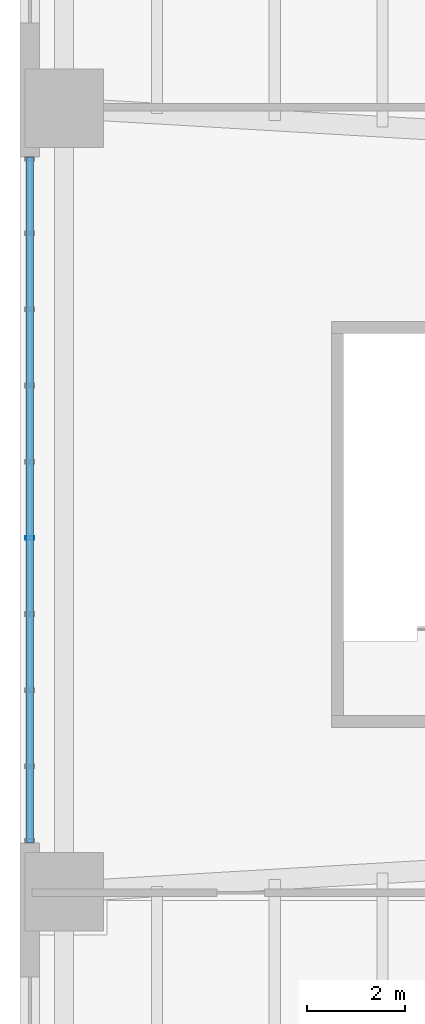
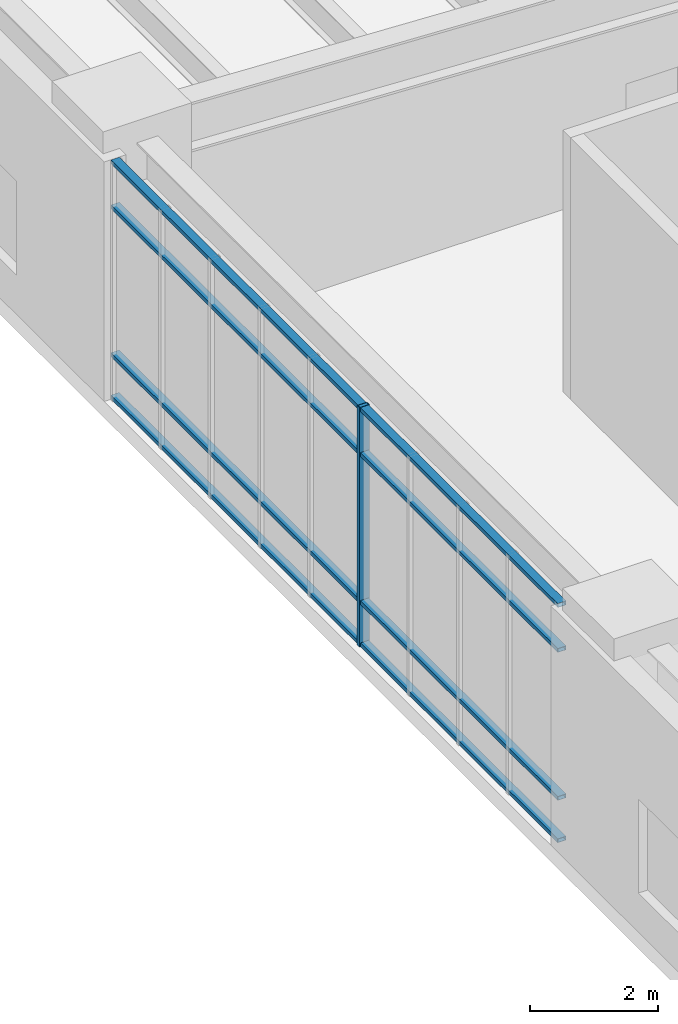
# One storey, part 4 of 18: 5 members, 1 element without a shape of its own.
"""IFC4 building model written with IfcOpenShell, lengths in metres."""

from ifc_helpers import new_model, si_unit, direction, frame, origin, origin_2d, place, context, subcontext, project, spatial, hollow_rectangle, extrude, material, layer, layer_set, material_profile, profile_set, type_object, element, aggregate, save


model = new_model("IFC4")

# Units and contexts
model_context = context("Model", 3, precision=1e-05, world=origin(), true_north=direction((0.0, 1.0)))
body_context = subcontext(model_context, "Body", "Model", "MODEL_VIEW")
ifc_project = project(units=[si_unit("LENGTHUNIT", "METRE"), si_unit("AREAUNIT", "SQUARE_METRE"), si_unit("VOLUMEUNIT", "CUBIC_METRE"), si_unit("PLANEANGLEUNIT", "RADIAN"), si_unit("MASSUNIT", "GRAM", prefix="KILO"), si_unit("THERMODYNAMICTEMPERATUREUNIT", "KELVIN"), si_unit("POWERUNIT", "WATT")], contexts=[model_context])

# Site, building, storey
site_placement = place(None, origin())
site = spatial("IfcSite", under=ifc_project, at=site_placement, CompositionType="ELEMENT")
building_placement = place(site_placement, origin())
building = spatial("IfcBuilding", under=site, at=building_placement, Name="Skarre Station Tower", CompositionType="ELEMENT")
storey_placement = place(building_placement, frame((0.0, 0.0, 16.0)))
storey = spatial("IfcBuildingStorey", under=building, at=storey_placement, Name="L04", CompositionType="ELEMENT", Elevation=16.0)

# Curtain wall, members
ifc_material_1 = material(Name="Thermally Broken Bronze-Anodized Aluminium & Triple Low-E Glass", Category="aluminium")
ifc_layer = layer(ifc_material_1, 0.199951171875, Name="Thermally Broken Bronze-Anodized Aluminium & Triple Low-E Glass")
ifc_layer_set = layer_set([ifc_layer], Name="Thermally Broken Bronze-Anodized Aluminium & Triple Low-E Glass")
curtain_wall_type = type_object("IfcCurtainWallType", Name="Podium Transit Arcade Stick Curtain Wall", PredefinedType="NOTDEFINED", material=ifc_layer_set)
curtain_wall_placement = place(storey_placement, origin())
curtain_wall = element("IfcCurtainWall", 1, at=curtain_wall_placement, inside=storey, type_object=curtain_wall_type, Name="L04 West Atrium Clerestory Curtain Wall", PredefinedType="NOTDEFINED")
ifc_material_2 = material(Name="Anodized Aluminium 6063-T6", Category="aluminium")
ifc_material_profile_1 = material_profile(ifc_material_2, hollow_rectangle(XDim=0.074951171875, YDim=0.14990234375, WallThickness=0.00390625, at=origin_2d()), Name="Anodized Aluminium 6063-T6")
ifc_profile_set_1 = profile_set([ifc_material_profile_1], Name="Anodized Aluminium 6063-T6")
member_type_1 = type_object("IfcMemberType", Name="Curtain-Wall Secondary Transom 150x75", PredefinedType="USERDEFINED", material=ifc_profile_set_1)
member_1_placement = place(storey_placement, frame((0.199951171875, 17.0, 0.0400390625), z_axis=(0.0, 1.0, 0.0), x_axis=(0.0, 0.0, 1.0)))
member_1 = element("IfcMember", 2, at=member_1_placement, type_object=member_type_1, Name="L04 West Atrium Clerestory Curtain Wall Transom 1", ObjectType="TRANSOM", PredefinedType="USERDEFINED", context=body_context, shape_type="SweptSolid", body=[
    extrude(hollow_rectangle(XDim=0.074951171875, YDim=0.14990234375, WallThickness=0.00390625, at=origin_2d()), origin(), (0.0, 0.0, 1.0), 14.0),
])
member_2_placement = place(storey_placement, frame((0.199951171875, 17.0, 0.85009765625), z_axis=(0.0, 1.0, 0.0), x_axis=(0.0, 0.0, 1.0)))
member_2 = element("IfcMember", 3, at=member_2_placement, type_object=member_type_1, Name="L04 West Atrium Clerestory Curtain Wall Transom 2", ObjectType="TRANSOM", PredefinedType="USERDEFINED", context=body_context, shape_type="SweptSolid", body=[
    extrude(hollow_rectangle(XDim=0.074951171875, YDim=0.14990234375, WallThickness=0.00390625, at=origin_2d()), origin(), (0.0, 0.0, 1.0), 14.0),
])
member_3_placement = place(storey_placement, frame((0.199951171875, 17.0, 3.679931640625), z_axis=(0.0, 1.0, 0.0), x_axis=(0.0, 0.0, 1.0)))
member_3 = element("IfcMember", 4, at=member_3_placement, type_object=member_type_1, Name="L04 West Atrium Clerestory Curtain Wall Transom 3", ObjectType="TRANSOM", PredefinedType="USERDEFINED", context=body_context, shape_type="SweptSolid", body=[
    extrude(hollow_rectangle(XDim=0.074951171875, YDim=0.14990234375, WallThickness=0.00390625, at=origin_2d()), origin(), (0.0, 0.0, 1.0), 14.0),
])
member_4_placement = place(storey_placement, frame((0.199951171875, 17.0, 4.5400390625), z_axis=(0.0, 1.0, 0.0), x_axis=(0.0, 0.0, 1.0)))
member_4 = element("IfcMember", 5, at=member_4_placement, type_object=member_type_1, Name="L04 West Atrium Clerestory Curtain Wall Transom 4", ObjectType="TRANSOM", PredefinedType="USERDEFINED", context=body_context, shape_type="SweptSolid", body=[
    extrude(hollow_rectangle(XDim=0.074951171875, YDim=0.14990234375, WallThickness=0.00390625, at=origin_2d()), origin(), (0.0, 0.0, 1.0), 14.0),
])
ifc_material_profile_2 = material_profile(ifc_material_2, hollow_rectangle(XDim=0.074951171875, YDim=0.179931640625, WallThickness=0.00390625, at=origin_2d()), Name="Anodized Aluminium 6063-T6")
ifc_profile_set_2 = profile_set([ifc_material_profile_2], Name="Anodized Aluminium 6063-T6")
member_type_2 = type_object("IfcMemberType", Name="Curtain-Wall Unitised Tower Mullion 180x75", PredefinedType="MULLION", material=ifc_profile_set_2)
member_5_placement = place(storey_placement, frame((0.199951171875, 23.221923828125, 0.0), z_axis=(0.0, 0.0, 1.0), x_axis=(0.0, 1.0, 0.0)))
member_5 = element("IfcMember", 6, at=member_5_placement, type_object=member_type_2, Name="L04 West Atrium Clerestory Curtain Wall Mullion 5", PredefinedType="MULLION", context=body_context, shape_type="SweptSolid", body=[
    extrude(hollow_rectangle(XDim=0.074951171875, YDim=0.179931640625, WallThickness=0.00390625, at=origin_2d()), origin(), (0.0, 0.0, 1.0), 4.580078125),
])
aggregate(curtain_wall, [member_5, member_1, member_2, member_3, member_4])

save(model, "model.ifc")
